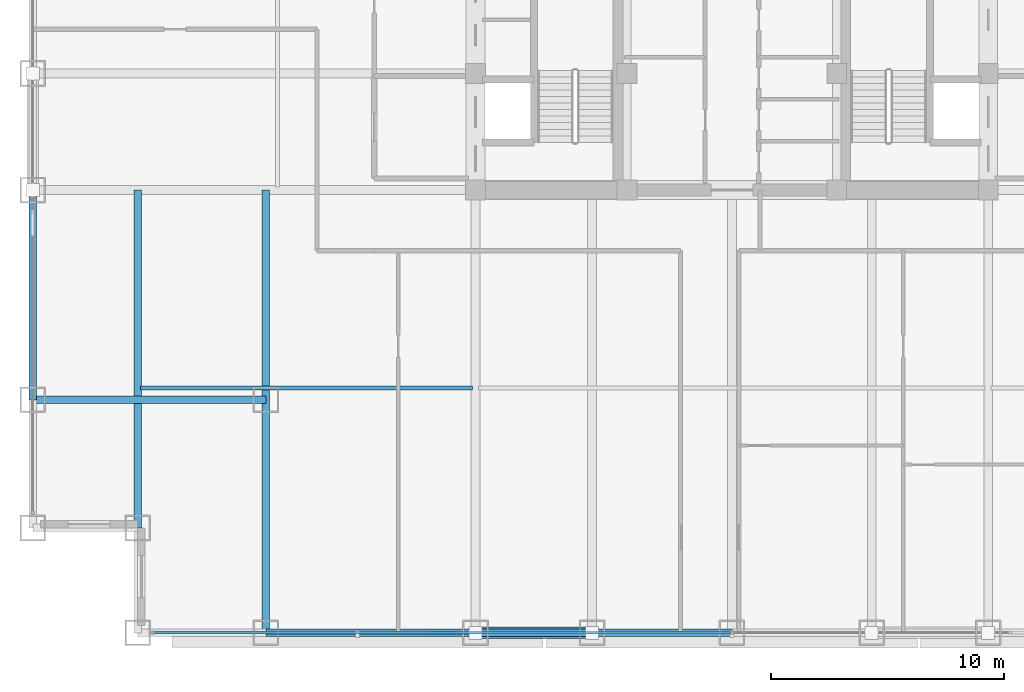
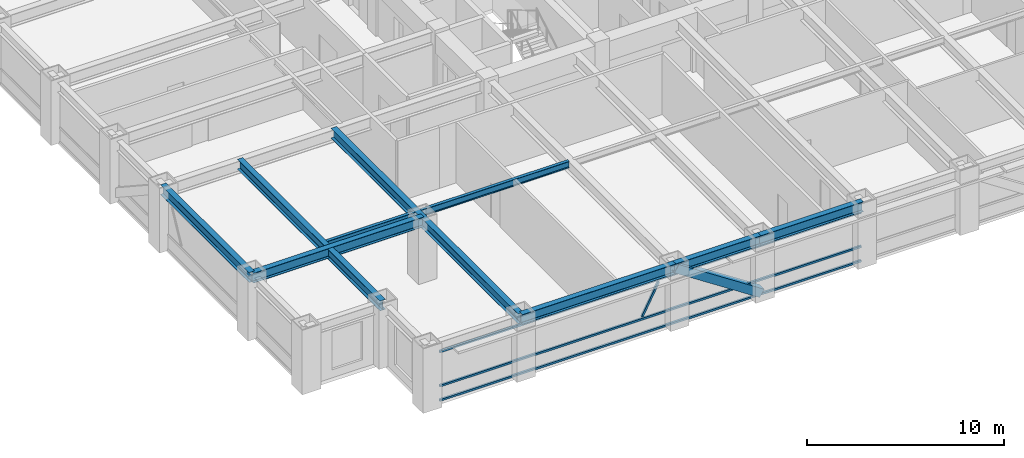
# One storey, part 3 of 28: 8 beams, 5 members, 1 element without a shape of its own.
"""IFC4 building model written with IfcOpenShell, lengths in metres."""

from ifc_helpers import new_model, si_unit, direction, frame, origin, origin_2d, place, context, subcontext, project, spatial, hollow_rectangle, i_section, extrude, source, transform, mapped, material, material_profile, profile_set, type_object, element, aggregate, save


model = new_model("IFC4")

# Units and contexts
model_context = context("Model", 3, precision=1e-05, world=origin(), true_north=direction((0.0, 1.0)))
body_context = subcontext(model_context, "Body", "Model", "MODEL_VIEW")
ifc_project = project(units=[si_unit("LENGTHUNIT", "METRE"), si_unit("AREAUNIT", "SQUARE_METRE"), si_unit("VOLUMEUNIT", "CUBIC_METRE"), si_unit("PLANEANGLEUNIT", "RADIAN"), si_unit("MASSUNIT", "GRAM", prefix="KILO")], contexts=[model_context])

# Site, building, storey
site_placement = place(None, origin())
site = spatial("IfcSite", under=ifc_project, at=site_placement, CompositionType="ELEMENT")
building_placement = place(site_placement, origin())
building = spatial("IfcBuilding", under=site, at=building_placement, Name="Khorayat Bourse Tower", CompositionType="ELEMENT")
storey_placement = place(building_placement, frame((0.0, 0.0, 187.10009765625)))
storey = spatial("IfcBuildingStorey", under=building, at=storey_placement, Name="L43", CompositionType="ELEMENT", Elevation=187.10009765625)

# Beams
ifc_material_1 = material(Name="Steel ASTM A992 Grade 50", Category="steel")
ifc_material_profile_1 = material_profile(ifc_material_1, i_section(OverallWidth=0.324951171875, OverallDepth=0.615966796875, WebThickness=0.013916015625, FlangeThickness=0.021484375, FilletRadius=0.01611328125, at=origin_2d()), Name="W610X174")
ifc_profile_set_1 = profile_set([ifc_material_profile_1], Name="Steel ASTM A992 Grade 50")
beam_type_1 = type_object("IfcBeamType", Name="BM-GIRD-610", PredefinedType="BEAM", material=ifc_profile_set_1)
shared_shape_1 = source(origin(), body_context, "Body", "SweptSolid", [
    extrude(i_section(OverallWidth=0.324951171875, OverallDepth=0.615966796875, WebThickness=0.013916015625, FlangeThickness=0.021484375, FilletRadius=0.01611328125, at=origin_2d()), origin(), (0.0, 0.0, 1.0), 19.0),
])
beam_1_placement = place(storey_placement, frame((-20.0, -30.0, 3.471923828125), z_axis=(0.0, 1.0, 0.0), x_axis=(-1.0, 0.0, 0.0)))
element("IfcBeam", 1, at=beam_1_placement, inside=storey, type_object=beam_type_1, Name="L43 BM-GIRD-610 BM-L43-CNRY-084", PredefinedType="BEAM", context=body_context, shape_type="MappedRepresentation", body=[
    mapped(shared_shape_1, transform((0.0, 0.0, 0.0), scale=1.0)),
])
shared_shape_2 = source(origin(), body_context, "Body", "SweptSolid", [
    extrude(i_section(OverallWidth=0.324951171875, OverallDepth=0.615966796875, WebThickness=0.013916015625, FlangeThickness=0.021484375, FilletRadius=0.01611328125, at=origin_2d()), origin(), (0.0, 0.0, 1.0), 14.5),
])
beam_2_placement = place(storey_placement, frame((-25.5, -25.5, 3.471923828125), z_axis=(0.0, 1.0, 0.0), x_axis=(-1.0, 0.0, 0.0)))
element("IfcBeam", 2, at=beam_2_placement, inside=storey, type_object=beam_type_1, Name="L43 BM-GIRD-610 BM-L43-CNRY-088", PredefinedType="BEAM", context=body_context, shape_type="MappedRepresentation", body=[
    mapped(shared_shape_2, transform((0.0, 0.0, 0.0), scale=1.0)),
])
shared_shape_3 = source(origin(), body_context, "Body", "SweptSolid", [
    extrude(i_section(OverallWidth=0.324951171875, OverallDepth=0.615966796875, WebThickness=0.013916015625, FlangeThickness=0.021484375, FilletRadius=0.01611328125, at=origin_2d()), origin(), (0.0, 0.0, 1.0), 10.0),
])
beam_3_placement = place(storey_placement, frame((-30.0, -20.0, 3.471923828125), z_axis=(1.0, 0.0, 0.0), x_axis=(0.0, 1.0, 0.0)))
element("IfcBeam", 3, at=beam_3_placement, inside=storey, type_object=beam_type_1, Name="L43 BM-GIRD-610 BM-L43-CNRX-093", PredefinedType="BEAM", context=body_context, shape_type="MappedRepresentation", body=[
    mapped(shared_shape_3, transform((0.0, 0.0, 0.0), scale=1.0)),
])
ifc_material_profile_2 = material_profile(ifc_material_1, i_section(OverallWidth=0.180908203125, OverallDepth=0.4169921875, WebThickness=0.010986328125, FlangeThickness=0.018310546875, FilletRadius=0.011962890625, at=origin_2d()), Name="W410X85")
ifc_profile_set_2 = profile_set([ifc_material_profile_2], Name="Steel ASTM A992 Grade 50")
beam_type_2 = type_object("IfcBeamType", Name="BM-JOIST-410", PredefinedType="JOIST", material=ifc_profile_set_2)
shared_shape_4 = source(origin(), body_context, "Body", "SweptSolid", [
    extrude(i_section(OverallWidth=0.180908203125, OverallDepth=0.4169921875, WebThickness=0.010986328125, FlangeThickness=0.018310546875, FilletRadius=0.011962890625, at=origin_2d()), origin(), (0.0, 0.0, 1.0), 14.240234375),
])
beam_4_placement = place(storey_placement, frame((-25.3701171875, -19.5, 3.5712890625), z_axis=(1.0, 0.0, 0.0), x_axis=(0.0, 1.0, 0.0)))
element("IfcBeam", 4, at=beam_4_placement, inside=storey, type_object=beam_type_2, Name="L43 BM-JOIST-410 BM-L43-JSTX-096", PredefinedType="JOIST", context=body_context, shape_type="MappedRepresentation", body=[
    mapped(shared_shape_4, transform((0.0, 0.0, 0.0), scale=1.0)),
])
ifc_material_profile_3 = material_profile(ifc_material_1, i_section(OverallWidth=0.324951171875, OverallDepth=0.615966796875, WebThickness=0.013916015625, FlangeThickness=0.021484375, FilletRadius=0.01611328125, at=origin_2d()), Name="W610X174")
ifc_profile_set_3 = profile_set([ifc_material_profile_3], Name="Steel ASTM A992 Grade 50")
beam_type_3 = type_object("IfcBeamType", Name="BM-SPAN-610", PredefinedType="SPANDREL", material=ifc_profile_set_3)
shared_shape_5 = source(origin(), body_context, "Body", "SweptSolid", [
    extrude(i_section(OverallWidth=0.324951171875, OverallDepth=0.615966796875, WebThickness=0.013916015625, FlangeThickness=0.021484375, FilletRadius=0.01611328125, at=origin_2d()), origin(), (0.0, 0.0, 1.0), 9.0),
])
for number, where, z_axis, x_axis, name in (
    (5, (-20.0, -30.0, 3.471923828125), (1.0, 0.0, 0.0), (0.0, 1.0, 0.0), "L43 BM-SPAN-610 BM-L43-SPN-025"),
    (6, (-30.0, -20.0, 3.471923828125), (0.0, 1.0, 0.0), (-1.0, 0.0, 0.0), "L43 BM-SPAN-610 BM-L43-SPN-060"),
):
    element("IfcBeam", number, at=place(storey_placement, frame(where, z_axis=z_axis, x_axis=x_axis)), inside=storey, type_object=beam_type_3, Name=name, PredefinedType="SPANDREL", context=body_context, shape_type="MappedRepresentation", body=[
        mapped(shared_shape_5, transform((0.0, 0.0, 0.0), scale=1.0)),
    ])
shared_shape_6 = source(origin(), body_context, "Body", "SweptSolid", [
    extrude(i_section(OverallWidth=0.324951171875, OverallDepth=0.615966796875, WebThickness=0.013916015625, FlangeThickness=0.021484375, FilletRadius=0.01611328125, at=origin_2d()), origin(), (0.0, 0.0, 1.0), 5.0),
])
beam_5_placement = place(storey_placement, frame((-11.0, -30.0, 3.471923828125), z_axis=(1.0, 0.0, 0.0), x_axis=(0.0, 1.0, 0.0)))
element("IfcBeam", 7, at=beam_5_placement, inside=storey, type_object=beam_type_3, Name="L43 BM-SPAN-610 BM-L43-SPN-026", PredefinedType="SPANDREL", context=body_context, shape_type="MappedRepresentation", body=[
    mapped(shared_shape_6, transform((0.0, 0.0, 0.0), scale=1.0)),
])
shared_shape_7 = source(origin(), body_context, "Body", "SweptSolid", [
    extrude(i_section(OverallWidth=0.324951171875, OverallDepth=0.615966796875, WebThickness=0.013916015625, FlangeThickness=0.021484375, FilletRadius=0.01611328125, at=origin_2d()), origin(), (0.0, 0.0, 1.0), 6.0),
])
beam_6_placement = place(storey_placement, frame((-6.0, -30.0, 3.471923828125), z_axis=(1.0, 0.0, 0.0), x_axis=(0.0, 1.0, 0.0)))
element("IfcBeam", 8, at=beam_6_placement, inside=storey, type_object=beam_type_3, Name="L43 BM-SPAN-610 BM-L43-SPN-027", PredefinedType="SPANDREL", context=body_context, shape_type="MappedRepresentation", body=[
    mapped(shared_shape_7, transform((0.0, 0.0, 0.0), scale=1.0)),
])

# Member
ifc_material_2 = material(Name="Steel EN 10025-4 S460M", Category="steel")
ifc_material_profile_4 = material_profile(ifc_material_2, hollow_rectangle(XDim=0.5, YDim=0.5, WallThickness=0.028076171875, at=origin_2d()), Name="HSS 500x500x28")
ifc_profile_set_4 = profile_set([ifc_material_profile_4], Name="Steel EN 10025-4 S460M")
member_type_1 = type_object("IfcMemberType", Name="MBR-TUBE-500", PredefinedType="BRACE", material=ifc_profile_set_4)
shared_shape_8 = source(origin(), body_context, "Body", "SweptSolid", [
    extrude(hollow_rectangle(XDim=0.5, YDim=0.5, WallThickness=0.028076171875, at=origin_2d()), origin(), (0.0, 0.0, 1.0), 5.979736328125),
])
member_1_placement = place(storey_placement, frame((-11.0, -30.0, 3.52978515625), z_axis=(0.836160261256, 0.0, -0.548485202623), x_axis=(0.0, 1.0, 0.0)))
element("IfcMember", 9, at=member_1_placement, inside=storey, type_object=member_type_1, Name="L43 Perimeter Tube Brace 01", PredefinedType="BRACE", context=body_context, shape_type="MappedRepresentation", body=[
    mapped(shared_shape_8, transform((0.0, 0.0, 0.0), scale=1.0)),
])

# Curtain wall, members
ifc_material_3 = material(Name="Aluminium EN AW-6063 T6", Category="aluminium")
curtain_wall_type = type_object("IfcCurtainWallType", Name="CW-SYS-03", PredefinedType="NOTDEFINED", material=ifc_material_3)
curtain_wall_placement = place(storey_placement, origin())
curtain_wall = element("IfcCurtainWall", 10, at=curtain_wall_placement, inside=storey, type_object=curtain_wall_type, Name="L43 Curtain Wall CW-L43-S1", PredefinedType="NOTDEFINED")
ifc_material_profile_5 = material_profile(ifc_material_3, hollow_rectangle(XDim=0.1201171875, YDim=0.1201171875, WallThickness=0.0048828125, at=origin_2d()), Name="ALU 120x120x5")
ifc_profile_set_5 = profile_set([ifc_material_profile_5], Name="Aluminium EN AW-6063 T6")
member_type_2 = type_object("IfcMemberType", Name="CWM-DIAG-120", PredefinedType="MULLION", material=ifc_profile_set_5)
shared_shape_9 = source(origin(), body_context, "Body", "SweptSolid", [
    extrude(hollow_rectangle(XDim=0.1201171875, YDim=0.1201171875, WallThickness=0.0048828125, at=origin_2d()), origin(), (0.0, 0.0, 1.0), 2.079345703125),
])
member_2_placement = place(storey_placement, frame((-12.904296875, -30.0, 1.08984375), z_axis=(0.465760949701, 0.0, 0.884910581773), x_axis=(0.0, 1.0, 0.0)))
member_2 = element("IfcMember", 11, at=member_2_placement, type_object=member_type_2, Name="CW-L43-S1 Faceted Diagonal Mullion 1", PredefinedType="MULLION", context=body_context, shape_type="MappedRepresentation", body=[
    mapped(shared_shape_9, transform((0.0, 0.0, 0.0), scale=1.0)),
])
ifc_material_profile_6 = material_profile(ifc_material_3, hollow_rectangle(XDim=0.1201171875, YDim=0.1201171875, WallThickness=0.0048828125, at=origin_2d()), Name="ALU 120x120x5")
ifc_profile_set_6 = profile_set([ifc_material_profile_6], Name="Aluminium EN AW-6063 T6")
member_type_3 = type_object("IfcMemberType", Name="CWT-HORZ-120", PredefinedType="USERDEFINED", material=ifc_profile_set_6)
shared_shape_10 = source(origin(), body_context, "Body", "SweptSolid", [
    extrude(hollow_rectangle(XDim=0.1201171875, YDim=0.1201171875, WallThickness=0.0048828125, at=origin_2d()), origin(), (0.0, 0.0, 1.0), 24.719970703125),
])
member_3_placement = place(storey_placement, frame((-24.780029296875, -30.0, 0.059814453125), z_axis=(1.0, 0.0, 0.0), x_axis=(0.0, 1.0, 0.0)))
member_3 = element("IfcMember", 12, at=member_3_placement, type_object=member_type_3, Name="CW-L43-S1 Horizontal Transom 1-1", ObjectType="TRANSOM", PredefinedType="USERDEFINED", context=body_context, shape_type="MappedRepresentation", body=[
    mapped(shared_shape_10, transform((0.0, 0.0, 0.0), scale=1.0)),
])
member_4_placement = place(storey_placement, frame((-24.780029296875, -30.0, 0.949951171875), z_axis=(1.0, 0.0, 0.0), x_axis=(0.0, 1.0, 0.0)))
member_4 = element("IfcMember", 13, at=member_4_placement, type_object=member_type_3, Name="CW-L43-S1 Horizontal Transom 1-2", ObjectType="TRANSOM", PredefinedType="USERDEFINED", context=body_context, shape_type="MappedRepresentation", body=[
    mapped(shared_shape_10, transform((0.0, 0.0, 0.0), scale=1.0)),
])
member_5_placement = place(storey_placement, frame((-24.780029296875, -30.0, 3.06982421875), z_axis=(1.0, 0.0, 0.0), x_axis=(0.0, 1.0, 0.0)))
member_5 = element("IfcMember", 14, at=member_5_placement, type_object=member_type_3, Name="CW-L43-S1 Horizontal Transom 1-3", ObjectType="TRANSOM", PredefinedType="USERDEFINED", context=body_context, shape_type="MappedRepresentation", body=[
    mapped(shared_shape_10, transform((0.0, 0.0, 0.0), scale=1.0)),
])
aggregate(curtain_wall, [member_3, member_4, member_5, member_2])

save(model, "model.ifc")
